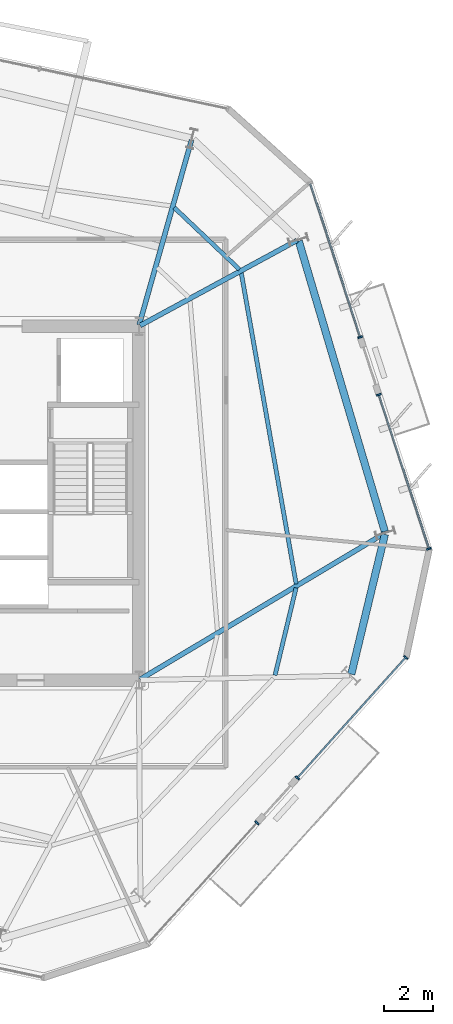
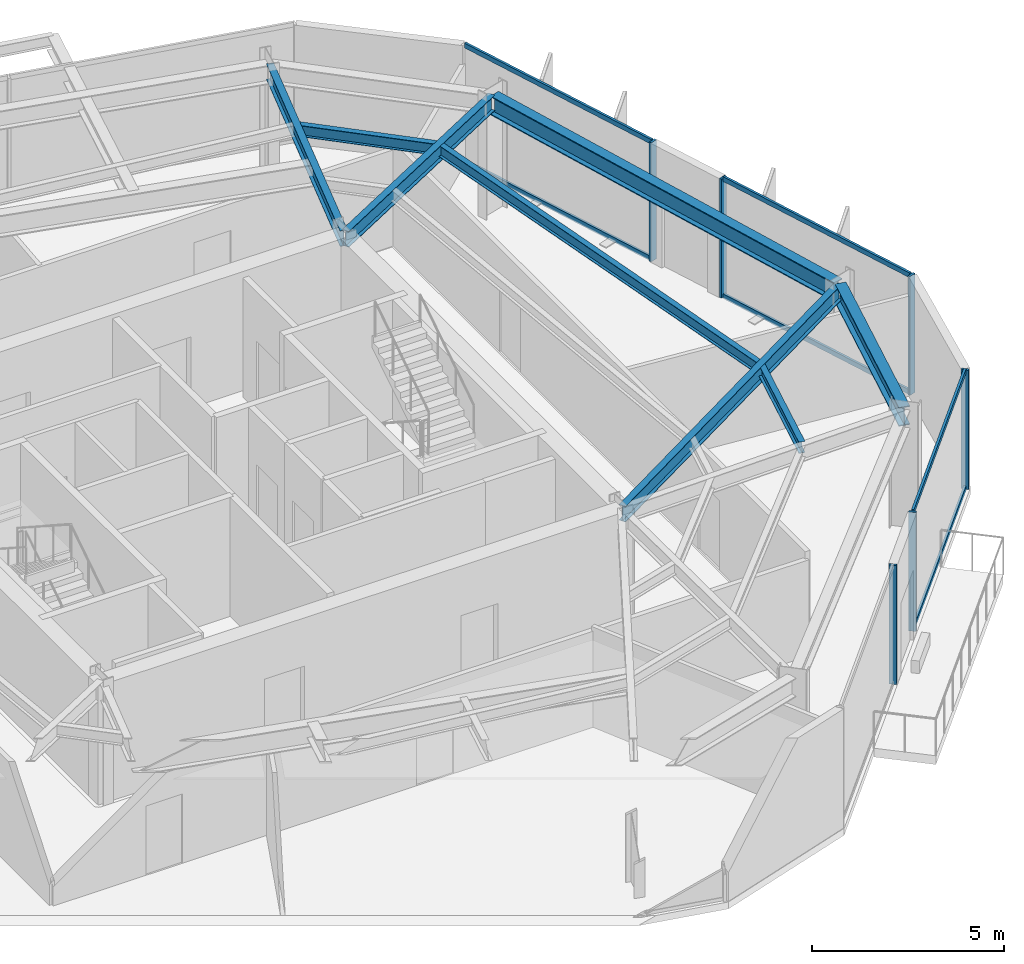
# One storey, part 4 of 11: 12 members, 8 beams, 4 elements without a shape of their own.
"""IFC4 building model written with IfcOpenShell, lengths in metres."""

import ifcopenshell
import ifcopenshell.guid

model = None  # the IFC model being written
_history = None  # IfcOwnerHistory: only IFC2X3 demands one
_inside = {}  # id of a spatial element -> (the spatial element, [elements in it])
_under = {}  # id of a project, library or spatial element -> (it, [spatial elements below it])
_declared = {}  # id of a project -> (the project, [libraries it declares])
_typed = {}  # id of a type object -> (the type object, [elements of that type])
_made_of = {}  # id of a material, layer set ... -> (it, [elements and type objects made of it])


def new_model(schema):
    """Start an empty IFC model of exactly this schema.

    Asked for "IFC4X3", IfcOpenShell would pick the latest addendum, in which some entities
    have other attributes; the version numbers below select the first issue.
    IFC2X3 requires an IfcOwnerHistory on every rooted entity: one is made here for all.
    """
    global model, _history
    if schema == "IFC4X3":
        model = ifcopenshell.file(schema_version=(4, 3, 0, 0))
    else:
        model = ifcopenshell.file(schema=schema)
    _inside.clear()
    _under.clear()
    _declared.clear()
    _typed.clear()
    _made_of.clear()
    _history = None
    if model.schema == "IFC2X3":
        org = make("IfcOrganization", Name="unknown")
        user = make(
            "IfcPersonAndOrganization",
            ThePerson=make("IfcPerson", FamilyName="unknown"),
            TheOrganization=org,
        )
        app = make(
            "IfcApplication",
            ApplicationDeveloper=org,
            Version="unknown",
            ApplicationFullName="unknown",
            ApplicationIdentifier="unknown",
        )
        _history = make(
            "IfcOwnerHistory",
            OwningUser=user,
            OwningApplication=app,
            ChangeAction="ADDED",
            CreationDate=0,
        )
    return model


def make(cls, **values):
    """One entity of the class cls with the attributes given. An attribute that is None is left unset."""
    return model.create_entity(
        cls, **{name: value for name, value in values.items() if value is not None}
    )


def rooted(cls, **values):
    """An entity with a GlobalId (a new one), such as an element, a storey or a relation."""
    return make(cls, GlobalId=ifcopenshell.guid.new(), OwnerHistory=_history, **values)


def si_unit(unit_type, name, prefix=None):
    """IfcSIUnit, for example si_unit("LENGTHUNIT", "METRE", prefix="MILLI")."""
    return make("IfcSIUnit", UnitType=unit_type, Prefix=prefix, Name=name)


def assignment(units):
    """IfcUnitAssignment: the units of a project."""
    return None if units is None else make("IfcUnitAssignment", Units=units)


def point(xyz):
    """IfcCartesianPoint."""
    return None if xyz is None else make("IfcCartesianPoint", Coordinates=xyz)


def direction(xyz):
    """IfcDirection."""
    return None if xyz is None else make("IfcDirection", DirectionRatios=xyz)


def frame(location, z_axis=None, x_axis=None):
    """IfcAxis2Placement3D, a coordinate frame: its origin and axes. An axis left out is left unset."""
    return make(
        "IfcAxis2Placement3D",
        Location=point(location),
        Axis=direction(z_axis),
        RefDirection=direction(x_axis),
    )


def frame_2d(location, x_axis=None):
    """IfcAxis2Placement2D, a coordinate frame in the plane: its origin and x axis."""
    return make(
        "IfcAxis2Placement2D", Location=point(location), RefDirection=direction(x_axis)
    )


def origin():
    """The frame at (0, 0, 0) with its axes left unset."""
    return frame((0.0, 0.0, 0.0))


def origin_2d():
    """The frame at (0, 0) in the plane with its x axis left unset."""
    return frame_2d((0.0, 0.0))


def place(relative_to, where):
    """IfcLocalPlacement: puts the frame where relative to a parent placement (None: the world)."""
    return make(
        "IfcLocalPlacement", PlacementRelTo=relative_to, RelativePlacement=where
    )


def context(
    kind, dimensions, precision=None, world=None, true_north=None, identifier=None
):
    """IfcGeometricRepresentationContext, for example the 3D "Model" context."""
    return make(
        "IfcGeometricRepresentationContext",
        ContextIdentifier=identifier,
        ContextType=kind,
        CoordinateSpaceDimension=dimensions,
        Precision=precision,
        WorldCoordinateSystem=world,
        TrueNorth=true_north,
    )


def subcontext(parent, identifier, kind, view, scale=None):
    """IfcGeometricRepresentationSubContext, for example "Body" below "Model"."""
    return make(
        "IfcGeometricRepresentationSubContext",
        ContextIdentifier=identifier,
        ContextType=kind,
        ParentContext=parent,
        TargetScale=scale,
        TargetView=view,
    )


def project(units=None, contexts=None):
    """IfcProject with its units and contexts."""
    return rooted(
        "IfcProject",
        Name="project",
        RepresentationContexts=contexts,
        UnitsInContext=assignment(units),
    )


def spatial(cls, under=None, at=None, **own):
    """A site, building, storey or space (cls), placed at a placement, below another one or the project."""
    s = rooted(cls, ObjectPlacement=at, **own)
    if under is not None:
        _under.setdefault(under.id(), (under, []))[1].append(s)
    return s


def profile(cls, at=None, kind="AREA", **sizes):
    """A parametric profile (cls). Its sizes go by their IFC names, for example OverallWidth=200.0."""
    return make(cls, ProfileType=kind, Position=at, **sizes)


def rectangle(**sizes):
    """IfcRectangleProfileDef."""
    return profile("IfcRectangleProfileDef", **sizes)


def i_section(**sizes):
    """IfcIShapeProfileDef."""
    return profile("IfcIShapeProfileDef", **sizes)


def extrude(swept, where, along, depth):
    """IfcExtrudedAreaSolid: the profile swept, set in the frame where, extruded along a direction by depth."""
    return make(
        "IfcExtrudedAreaSolid",
        SweptArea=swept,
        Position=where,
        ExtrudedDirection=direction(along),
        Depth=depth,
    )


def shape(context_of_items, identifier, shape_type, items):
    """IfcShapeRepresentation: the items that make up one representation, for example the "Body"."""
    return make(
        "IfcShapeRepresentation",
        ContextOfItems=context_of_items,
        RepresentationIdentifier=identifier,
        RepresentationType=shape_type,
        Items=items,
    )


def material(Name=None, Category=None):
    """IfcMaterial."""
    return make("IfcMaterial", Name=Name, Category=Category)


def layer(
    of_material, thickness, ventilated=None, Name=None, Category=None, Priority=None
):
    """IfcMaterialLayer: one layer of a wall or slab, of a material (None: an air gap)."""
    return make(
        "IfcMaterialLayer",
        Material=of_material,
        LayerThickness=thickness,
        IsVentilated=ventilated,
        Name=Name,
        Category=Category,
        Priority=Priority,
    )


def layer_set(layers, Name=None):
    """IfcMaterialLayerSet."""
    return make("IfcMaterialLayerSet", MaterialLayers=layers, LayerSetName=Name)


def material_profile(
    of_material, cross_section, Name=None, Category=None, Priority=None
):
    """IfcMaterialProfile: a cross section and its material."""
    return make(
        "IfcMaterialProfile",
        Name=Name,
        Material=of_material,
        Profile=cross_section,
        Priority=Priority,
        Category=Category,
    )


def profile_set(profiles, Name=None, composite=None):
    """IfcMaterialProfileSet."""
    return make(
        "IfcMaterialProfileSet",
        Name=Name,
        MaterialProfiles=profiles,
        CompositeProfile=composite,
    )


def made_of(thing, what):
    """Note that an element or type object is made of a material, layer set ...; save() writes the relation."""
    if what is not None:
        _made_of.setdefault(what.id(), (what, []))[1].append(thing)
    return thing


def type_object(cls, material=None, **own):
    """A type object (cls), such as IfcWallType, which elements share."""
    return made_of(rooted(cls, **own), material)


def element(
    cls,
    number,
    at=None,
    inside=None,
    cuts=None,
    type_object=None,
    material=None,
    context=None,
    identifier="Body",
    shape_type=None,
    held_by="IfcProductDefinitionShape",
    body=None,
    shapes=None,
    **own,
):
    """One element of the class cls, such as IfcWall. Its Tag is "e" and its number.

    at: its placement. inside: the storey or other place that contains it. cuts: it is an
    opening in that element (IfcRelVoidsElement). A single representation is given by context,
    identifier, shape_type and body (its items); several are given by shapes. held_by: the class
    of the entity that holds the representations. save() writes the other relations.
    """
    e = rooted(cls, Tag="e%d" % number, ObjectPlacement=at, **own)
    if body is not None:
        shapes = [shape(context, identifier, shape_type, body)]
    if shapes is not None:
        e.Representation = make(held_by, Representations=shapes)
    if inside is not None:
        _inside.setdefault(inside.id(), (inside, []))[1].append(e)
    if cuts is not None:
        rooted(
            "IfcRelVoidsElement", RelatingBuildingElement=cuts, RelatedOpeningElement=e
        )
    if type_object is not None:
        _typed.setdefault(type_object.id(), (type_object, []))[1].append(e)
    return made_of(e, material)


def aggregate(whole, parts):
    """IfcRelAggregates: a whole, such as a stair, and the parts it consists of."""
    return rooted("IfcRelAggregates", RelatingObject=whole, RelatedObjects=parts)


def save(model, path):
    """Write the relations noted so far, then the file.

    IfcRelAggregates (storeys below a building ...), IfcRelContainedInSpatialStructure (elements
    in a storey), IfcRelDefinesByType, IfcRelAssociatesMaterial and IfcRelDeclares: one each for
    every whole, place, type object, material and project.
    """
    for whole, parts in _under.values():
        aggregate(whole, parts)
    for where, things in _inside.values():
        rooted(
            "IfcRelContainedInSpatialStructure",
            RelatedElements=things,
            RelatingStructure=where,
        )
    for kind, things in _typed.values():
        rooted("IfcRelDefinesByType", RelatedObjects=things, RelatingType=kind)
    for what, things in _made_of.values():
        rooted("IfcRelAssociatesMaterial", RelatedObjects=things, RelatingMaterial=what)
    for by, libraries in _declared.values():
        rooted("IfcRelDeclares", RelatingContext=by, RelatedDefinitions=libraries)
    model.write(path)


model = new_model("IFC4")

# Units and contexts
model_context = context("Model", 3, precision=1e-05, world=origin(), true_north=direction((0.0, 1.0)))
body_context = subcontext(model_context, "Body", "Model", "MODEL_VIEW")
ifc_project = project(units=[si_unit("LENGTHUNIT", "METRE"), si_unit("AREAUNIT", "SQUARE_METRE"), si_unit("VOLUMEUNIT", "CUBIC_METRE"), si_unit("PLANEANGLEUNIT", "RADIAN"), si_unit("MASSUNIT", "GRAM", prefix="KILO")], contexts=[model_context])

# Site, building, storey
site_placement = place(None, origin())
site = spatial("IfcSite", under=ifc_project, at=site_placement, CompositionType="ELEMENT")
building_placement = place(site_placement, origin())
building = spatial("IfcBuilding", under=site, at=building_placement, Name="Kranzbogen Civic Tower", CompositionType="ELEMENT")
storey_placement = place(building_placement, frame((0.0, 0.0, 216.800048828125)))
storey = spatial("IfcBuildingStorey", under=building, at=storey_placement, Name="L52", CompositionType="ELEMENT", Elevation=216.800048828125)

# Curtain wall, member
ifc_material_1 = material(Name="Pale Anodised Aluminium", Category="aluminium")
ifc_layer = layer(ifc_material_1, 0.219970703125, Name="Pale Anodised Aluminium")
ifc_layer_set = layer_set([ifc_layer], Name="Pale Anodised Aluminium")
curtain_wall_type = type_object("IfcCurtainWallType", Name="Zone 3 Stick Curtain Wall System CW-04", PredefinedType="USERDEFINED", material=ifc_layer_set)
curtain_wall_1_placement = place(storey_placement, origin())
curtain_wall_1 = element("IfcCurtainWall", 1, at=curtain_wall_1_placement, inside=storey, type_object=curtain_wall_type, Name="L52 curtain wall CW-L52-F5-S1", ObjectType="STICK CURTAIN WALL", PredefinedType="USERDEFINED")
ifc_material_profile_1 = material_profile(ifc_material_1, rectangle(XDim=0.070068359375, YDim=0.199951171875, at=origin_2d()), Name="ALU-M 70x200")
ifc_profile_set_1 = profile_set([ifc_material_profile_1], Name="Pale Anodised Aluminium")
member_type_1 = type_object("IfcMemberType", Name="Curtain Wall Mullion ALU-M 70x200", PredefinedType="MULLION", material=ifc_profile_set_1)
member_1_placement = place(storey_placement, frame((37.60791015625, 11.99365234375, 0.0), z_axis=(0.0, 0.0, 1.0), x_axis=(0.669172266974, 0.743107311977, 0.0)))
member_1 = element("IfcMember", 2, at=member_1_placement, type_object=member_type_1, Name="CW-04 mullion 2", PredefinedType="MULLION", context=body_context, shape_type="SweptSolid", body=[
    extrude(rectangle(XDim=0.070068359375, YDim=0.199951171875, at=origin_2d()), origin(), (0.0, 0.0, 1.0), 3.780029296875),
])
aggregate(curtain_wall_1, [member_1])

# Curtain wall, members
curtain_wall_2_placement = place(storey_placement, origin())
curtain_wall_2 = element("IfcCurtainWall", 3, at=curtain_wall_2_placement, inside=storey, type_object=curtain_wall_type, Name="L52 curtain wall CW-L52-F5-S2", ObjectType="STICK CURTAIN WALL", PredefinedType="USERDEFINED")
member_2_placement = place(storey_placement, frame((39.253173828125, 13.822265625, 0.0), z_axis=(0.0, 0.0, 1.0), x_axis=(0.669164008859, 0.743114748372, 0.0)))
member_2 = element("IfcMember", 4, at=member_2_placement, type_object=member_type_1, Name="CW-04 mullion 1", PredefinedType="MULLION", context=body_context, shape_type="SweptSolid", body=[
    extrude(rectangle(XDim=0.070068359375, YDim=0.199951171875, at=origin_2d()), origin(), (0.0, 0.0, 1.0), 3.780029296875),
])
member_3_placement = place(storey_placement, frame((43.6650390625, 18.7216796875, 0.0), z_axis=(0.0, 0.0, 1.0), x_axis=(0.669164008859, 0.743114748372, 0.0)))
member_3 = element("IfcMember", 5, at=member_3_placement, type_object=member_type_1, Name="CW-04 mullion 2", PredefinedType="MULLION", context=body_context, shape_type="SweptSolid", body=[
    extrude(rectangle(XDim=0.070068359375, YDim=0.199951171875, at=origin_2d()), origin(), (0.0, 0.0, 1.0), 3.780029296875),
])

curtain_wall_3_placement = place(storey_placement, origin())
curtain_wall_3 = element("IfcCurtainWall", 6, at=curtain_wall_3_placement, inside=storey, type_object=curtain_wall_type, Name="L52 curtain wall CW-L52-F6-S1", ObjectType="STICK CURTAIN WALL", PredefinedType="USERDEFINED")
member_4_placement = place(storey_placement, frame((44.604736328125, 23.1435546875, 0.0), z_axis=(0.0, 0.0, 1.0), x_axis=(-0.309004509725, 0.951060572713, 0.0)))
member_4 = element("IfcMember", 7, at=member_4_placement, type_object=member_type_1, Name="CW-04 mullion 1", PredefinedType="MULLION", context=body_context, shape_type="SweptSolid", body=[
    extrude(rectangle(XDim=0.070068359375, YDim=0.199951171875, at=origin_2d()), origin(), (0.0, 0.0, 1.0), 3.780029296875),
])
member_5_placement = place(storey_placement, frame((42.5673828125, 29.41455078125, 0.0), z_axis=(0.0, 0.0, 1.0), x_axis=(-0.309004509725, 0.951060572713, 0.0)))
member_5 = element("IfcMember", 8, at=member_5_placement, type_object=member_type_1, Name="CW-04 mullion 2", PredefinedType="MULLION", context=body_context, shape_type="SweptSolid", body=[
    extrude(rectangle(XDim=0.070068359375, YDim=0.199951171875, at=origin_2d()), origin(), (0.0, 0.0, 1.0), 3.780029296875),
])

# Curtain wall, member
curtain_wall_4_placement = place(storey_placement, origin())
curtain_wall_4 = element("IfcCurtainWall", 9, at=curtain_wall_4_placement, inside=storey, type_object=curtain_wall_type, Name="L52 curtain wall CW-L52-F6-S2", ObjectType="STICK CURTAIN WALL", PredefinedType="USERDEFINED")
member_6_placement = place(storey_placement, frame((41.806640625, 31.754638671875, 0.0), z_axis=(0.0, 0.0, 1.0), x_axis=(-0.309004509725, 0.951060572713, 0.0)))
member_6 = element("IfcMember", 10, at=member_6_placement, type_object=member_type_1, Name="CW-04 mullion 1", PredefinedType="MULLION", context=body_context, shape_type="SweptSolid", body=[
    extrude(rectangle(XDim=0.070068359375, YDim=0.199951171875, at=origin_2d()), origin(), (0.0, 0.0, 1.0), 3.780029296875),
])

# Member
ifc_material_profile_2 = material_profile(ifc_material_1, rectangle(XDim=0.070068359375, YDim=0.14990234375, at=origin_2d()), Name="ALU-T 70x150")
ifc_profile_set_2 = profile_set([ifc_material_profile_2], Name="Pale Anodised Aluminium")
member_type_2 = type_object("IfcMemberType", Name="Curtain Wall Transom ALU-T 70x150", PredefinedType="USERDEFINED", material=ifc_profile_set_2)
member_7_placement = place(storey_placement, frame((39.273193359375, 13.844482421875, 0.030029296875), z_axis=(0.669142270338, 0.743134323017, 0.0), x_axis=(-0.743134323017, 0.669142270338, 0.0)))
member_7 = element("IfcMember", 11, at=member_7_placement, type_object=member_type_2, Name="CW-04 transom 1.1", ObjectType="TRANSOM", PredefinedType="USERDEFINED", context=body_context, shape_type="SweptSolid", body=[
    extrude(rectangle(XDim=0.070068359375, YDim=0.14990234375, at=origin_2d()), origin(), (0.0, 0.0, 1.0), 6.533203125),
])

member_8_placement = place(storey_placement, frame((39.273193359375, 13.844482421875, 3.75), z_axis=(0.669142270338, 0.743134323017, 0.0), x_axis=(-0.743134323017, 0.669142270338, 0.0)))
member_8 = element("IfcMember", 12, at=member_8_placement, type_object=member_type_2, Name="CW-04 transom 1.2", ObjectType="TRANSOM", PredefinedType="USERDEFINED", context=body_context, shape_type="SweptSolid", body=[
    extrude(rectangle(XDim=0.070068359375, YDim=0.14990234375, at=origin_2d()), origin(), (0.0, 0.0, 1.0), 6.533203125),
])

aggregate(curtain_wall_2, [member_2, member_3, member_7, member_8])

member_9_placement = place(storey_placement, frame((44.595458984375, 23.172119140625, 0.030029296875), z_axis=(-0.308988058786, 0.951065917551, 0.0), x_axis=(-0.951065917551, -0.308988058786, 0.0)))
member_9 = element("IfcMember", 13, at=member_9_placement, type_object=member_type_2, Name="CW-04 transom 1.1", ObjectType="TRANSOM", PredefinedType="USERDEFINED", context=body_context, shape_type="SweptSolid", body=[
    extrude(rectangle(XDim=0.070068359375, YDim=0.14990234375, at=origin_2d()), origin(), (0.0, 0.0, 1.0), 6.53369140625),
])

member_10_placement = place(storey_placement, frame((44.595458984375, 23.172119140625, 3.75), z_axis=(-0.308988058786, 0.951065917551, 0.0), x_axis=(-0.951065917551, -0.308988058786, 0.0)))
member_10 = element("IfcMember", 14, at=member_10_placement, type_object=member_type_2, Name="CW-04 transom 1.2", ObjectType="TRANSOM", PredefinedType="USERDEFINED", context=body_context, shape_type="SweptSolid", body=[
    extrude(rectangle(XDim=0.070068359375, YDim=0.14990234375, at=origin_2d()), origin(), (0.0, 0.0, 1.0), 6.53369140625),
])

aggregate(curtain_wall_3, [member_4, member_5, member_9, member_10])

member_11_placement = place(storey_placement, frame((41.79736328125, 31.782958984375, 0.030029296875), z_axis=(-0.308988058786, 0.951065917551, 0.0), x_axis=(-0.951065917551, -0.308988058786, 0.0)))
member_11 = element("IfcMember", 15, at=member_11_placement, type_object=member_type_2, Name="CW-04 transom 1.1", ObjectType="TRANSOM", PredefinedType="USERDEFINED", context=body_context, shape_type="SweptSolid", body=[
    extrude(rectangle(XDim=0.070068359375, YDim=0.14990234375, at=origin_2d()), origin(), (0.0, 0.0, 1.0), 6.53369140625),
])

member_12_placement = place(storey_placement, frame((41.79736328125, 31.782958984375, 3.75), z_axis=(-0.308988058786, 0.951065917551, 0.0), x_axis=(-0.951065917551, -0.308988058786, 0.0)))
member_12 = element("IfcMember", 16, at=member_12_placement, type_object=member_type_2, Name="CW-04 transom 1.2", ObjectType="TRANSOM", PredefinedType="USERDEFINED", context=body_context, shape_type="SweptSolid", body=[
    extrude(rectangle(XDim=0.070068359375, YDim=0.14990234375, at=origin_2d()), origin(), (0.0, 0.0, 1.0), 6.53369140625),
])

aggregate(curtain_wall_4, [member_6, member_11, member_12])

# Beams
ifc_material_2 = material(Name="Steel S355", Category="steel")
ifc_material_profile_3 = material_profile(ifc_material_2, i_section(OverallWidth=0.300048828125, OverallDepth=0.60009765625, WebThickness=0.015380859375, FlangeThickness=0.030029296875, at=origin_2d()), Name="HEB 600")
ifc_profile_set_3 = profile_set([ifc_material_profile_3], Name="Steel S355")
beam_type_1 = type_object("IfcBeamType", Name="Perimeter Tube Spandrel Beam HEB 600", PredefinedType="SPANDREL", material=ifc_profile_set_3)
beam_1_placement = place(storey_placement, frame((41.447021484375, 18.0419921875, 3.47998046875), z_axis=(0.233554380434, 0.972343741369, 0.0), x_axis=(-0.972343741369, 0.233554380434, 0.0)))
element("IfcBeam", 17, at=beam_1_placement, inside=storey, type_object=beam_type_1, Name="L52 perimeter spandrel beam 05", PredefinedType="SPANDREL", context=body_context, shape_type="SweptSolid", body=[
    extrude(i_section(OverallWidth=0.300048828125, OverallDepth=0.60009765625, WebThickness=0.015380859375, FlangeThickness=0.030029296875, at=origin_2d()), origin(), (0.0, 0.0, 1.0), 5.852783203125),
])
beam_2_placement = place(storey_placement, frame((42.81103515625, 23.84912109375, 3.47998046875), z_axis=(-0.284064048956, 0.958805306666, 0.0), x_axis=(-0.958805306666, -0.284064048956, 0.0)))
element("IfcBeam", 18, at=beam_2_placement, inside=storey, type_object=beam_type_1, Name="L52 perimeter spandrel beam 06", PredefinedType="SPANDREL", context=body_context, shape_type="SweptSolid", body=[
    extrude(i_section(OverallWidth=0.300048828125, OverallDepth=0.60009765625, WebThickness=0.015380859375, FlangeThickness=0.030029296875, at=origin_2d()), origin(), (0.0, 0.0, 1.0), 12.32470703125),
])
ifc_material_profile_4 = material_profile(ifc_material_2, i_section(OverallWidth=0.199951171875, OverallDepth=0.5, WebThickness=0.01025390625, FlangeThickness=0.01611328125, at=origin_2d()), Name="IPE 500")
ifc_profile_set_4 = profile_set([ifc_material_profile_4], Name="Steel S355")
beam_type_2 = type_object("IfcBeamType", Name="Radial Tower Floor Girder IPE 500", PredefinedType="BEAM", material=ifc_profile_set_4)
beam_3_placement = place(storey_placement, frame((42.77587890625, 23.760009765625, 3.530029296875), z_axis=(-0.858458551809, -0.512882944565, 0.0), x_axis=(0.512882944565, -0.858458551809, 0.0)))
element("IfcBeam", 19, at=beam_3_placement, inside=storey, type_object=beam_type_2, Name="L52 radial floor girder 06", PredefinedType="BEAM", context=body_context, shape_type="SweptSolid", body=[
    extrude(i_section(OverallWidth=0.199951171875, OverallDepth=0.5, WebThickness=0.01025390625, FlangeThickness=0.01611328125, at=origin_2d()), origin(), (0.0, 0.0, 1.0), 11.56005859375),
])
beam_4_placement = place(storey_placement, frame((39.239990234375, 35.695068359375, 3.530029296875), z_axis=(-0.878919430102, -0.476970266777, 0.0), x_axis=(0.476970266777, -0.878919430102, 0.0)))
element("IfcBeam", 20, at=beam_4_placement, inside=storey, type_object=beam_type_2, Name="L52 radial floor girder 07", PredefinedType="BEAM", context=body_context, shape_type="SweptSolid", body=[
    extrude(i_section(OverallWidth=0.199951171875, OverallDepth=0.5, WebThickness=0.01025390625, FlangeThickness=0.01611328125, at=origin_2d()), origin(), (0.0, 0.0, 1.0), 7.266845703125),
])
beam_5_placement = place(storey_placement, frame((34.945068359375, 39.777099609375, 3.530029296875), z_axis=(-0.272455078988, -0.962168503919, 0.0), x_axis=(0.962168503919, -0.272455078988, 0.0)))
element("IfcBeam", 21, at=beam_5_placement, inside=storey, type_object=beam_type_2, Name="L52 radial floor girder 08", PredefinedType="BEAM", context=body_context, shape_type="SweptSolid", body=[
    extrude(i_section(OverallWidth=0.199951171875, OverallDepth=0.5, WebThickness=0.01025390625, FlangeThickness=0.01611328125, at=origin_2d()), origin(), (0.0, 0.0, 1.0), 7.814697265625),
])
ifc_material_profile_5 = material_profile(ifc_material_2, i_section(OverallWidth=0.169921875, OverallDepth=0.360107421875, WebThickness=0.008056640625, FlangeThickness=0.0126953125, at=origin_2d()), Name="IPE 360")
ifc_profile_set_5 = profile_set([ifc_material_profile_5], Name="Steel S355")
beam_type_3 = type_object("IfcBeamType", Name="Secondary Composite Floor Joist IPE 360", PredefinedType="JOIST", material=ifc_profile_set_5)
beam_6_placement = place(storey_placement, frame((38.343994140625, 17.99609375, 3.599853515625), z_axis=(0.233534367714, 0.972348548154, 0.0), x_axis=(-0.972348548154, 0.233534367714, 0.0)))
element("IfcBeam", 22, at=beam_6_placement, inside=storey, type_object=beam_type_3, Name="L52 secondary floor joist 1.05", PredefinedType="JOIST", context=body_context, shape_type="SweptSolid", body=[
    extrude(i_section(OverallWidth=0.169921875, OverallDepth=0.360107421875, WebThickness=0.008056640625, FlangeThickness=0.0126953125, at=origin_2d()), origin(), (0.0, 0.0, 1.0), 3.6611328125),
])
beam_7_placement = place(storey_placement, frame((39.2041015625, 21.712890625, 3.599853515625), z_axis=(-0.173805911364, 0.984779927281, 0.0), x_axis=(-0.984779927281, -0.173805911364, 0.0)))
element("IfcBeam", 23, at=beam_7_placement, inside=storey, type_object=beam_type_3, Name="L52 secondary floor joist 1.06", PredefinedType="JOIST", context=body_context, shape_type="SweptSolid", body=[
    extrude(i_section(OverallWidth=0.169921875, OverallDepth=0.360107421875, WebThickness=0.008056640625, FlangeThickness=0.0126953125, at=origin_2d()), origin(), (0.0, 0.0, 1.0), 12.85986328125),
])
beam_8_placement = place(storey_placement, frame((36.89697265625, 34.510009765625, 3.599853515625), z_axis=(-0.725300648604, 0.688432254572, 0.0), x_axis=(-0.688432254572, -0.725300648604, 0.0)))
element("IfcBeam", 24, at=beam_8_placement, inside=storey, type_object=beam_type_3, Name="L52 secondary floor joist 1.07", PredefinedType="JOIST", context=body_context, shape_type="SweptSolid", body=[
    extrude(i_section(OverallWidth=0.169921875, OverallDepth=0.360107421875, WebThickness=0.008056640625, FlangeThickness=0.0126953125, at=origin_2d()), origin(), (0.0, 0.0, 1.0), 3.661865234375),
])

save(model, "model.ifc")
